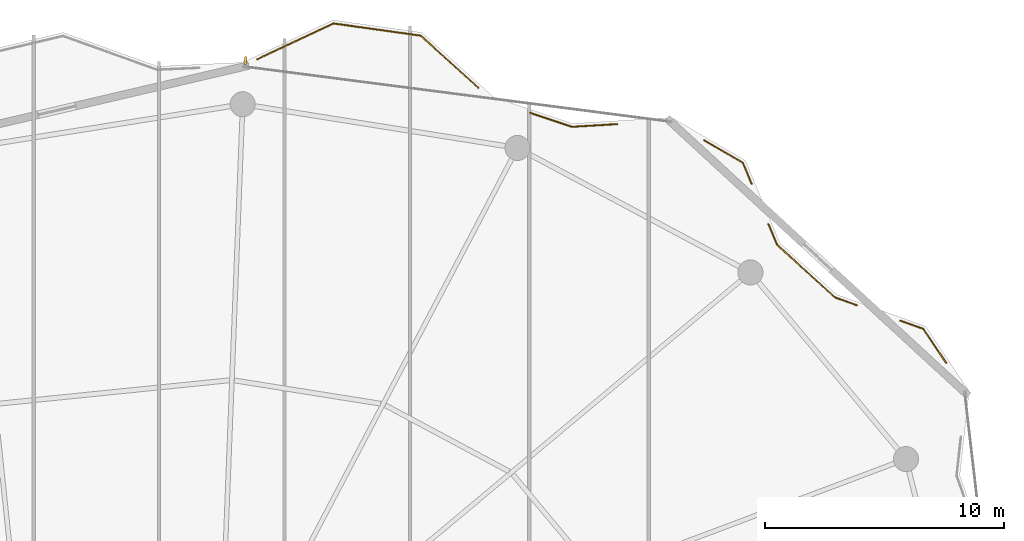
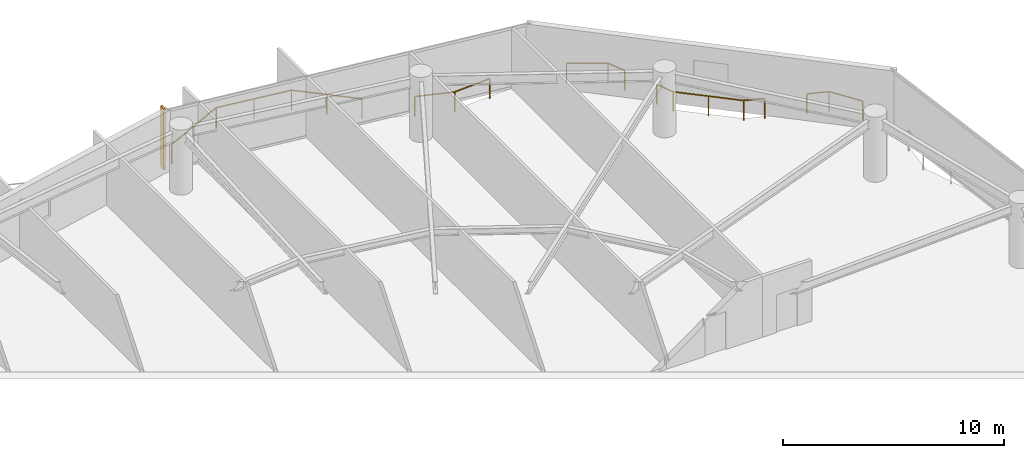
# One storey, part 31 of 31: 5 railings, 1 shading device.
"""IFC4 building model written with IfcOpenShell, lengths in metres."""

from ifc_helpers import new_model, si_unit, direction, frame, origin, origin_2d, place, context, subcontext, project, spatial, rectangle, extrude, material, type_object, element, save


model = new_model("IFC4")

# Units and contexts
model_context = context("Model", 3, precision=1e-05, world=origin(), true_north=direction((0.0, 1.0)))
body_context = subcontext(model_context, "Body", "Model", "MODEL_VIEW")
ifc_project = project(units=[si_unit("LENGTHUNIT", "METRE"), si_unit("AREAUNIT", "SQUARE_METRE"), si_unit("VOLUMEUNIT", "CUBIC_METRE"), si_unit("PLANEANGLEUNIT", "RADIAN"), si_unit("MASSUNIT", "GRAM", prefix="KILO")], contexts=[model_context])

# Site, building, storey
site_placement = place(None, origin())
site = spatial("IfcSite", under=ifc_project, at=site_placement, CompositionType="ELEMENT")
building_placement = place(site_placement, origin())
building = spatial("IfcBuilding", under=site, at=building_placement, Name="Kazevale Care Tower and Concert Hall", CompositionType="ELEMENT")
storey_placement = place(building_placement, frame((0.0, 0.0, 202.800048828125)))
storey = spatial("IfcBuildingStorey", under=building, at=storey_placement, Name="L53", CompositionType="ELEMENT", Elevation=202.800048828125)

# Railings
ifc_material_1 = material(Name="Anodised Bronze Aluminium and Laminated Glass", Category="aluminium")
railing_type = type_object("IfcRailingType", Name="Balcony and Terrace Balustrade 1120", PredefinedType="BALUSTRADE", material=ifc_material_1)
railing_1_placement = place(storey_placement, frame((45.610107421875, 63.931884765625, 0.0)))
element("IfcRailing", 1, at=railing_1_placement, inside=storey, type_object=railing_type, Name="rail:L53:perim:6", PredefinedType="BALUSTRADE", context=body_context, shape_type="SweptSolid", body=[
    extrude(rectangle(XDim=0.048095703125, YDim=0.048095703125, at=origin_2d()), frame((0.0, 0.0, 1.09619140625), z_axis=(0.905100997077, 0.42519664285, 0.0), x_axis=(-0.42519664285, 0.905100997077, 0.0)), (0.0, 0.0, 1.0), 3.525390625),
    extrude(rectangle(XDim=0.048095703125, YDim=0.048095703125, at=origin_2d()), frame((3.19091796875, 1.4990234375, 1.09619140625), z_axis=(0.990362854901, -0.138496987809, 0.0), x_axis=(0.138496987809, 0.990362854901, 0.0)), (0.0, 0.0, 1.0), 3.682373046875),
    extrude(rectangle(XDim=0.048095703125, YDim=0.048095703125, at=origin_2d()), frame((6.837890625, 0.989013671875, 1.09619140625), z_axis=(0.74237767764, -0.669981629407, 0.0), x_axis=(0.669981629407, 0.74237767764, 0.0)), (0.0, 0.0, 1.0), 3.260986328125),
    extrude(rectangle(XDim=0.0419921875, YDim=0.0419921875, at=origin_2d()), origin(), (0.0, 0.0, 1.0), 1.072021484375),
    extrude(rectangle(XDim=0.0419921875, YDim=0.0419921875, at=origin_2d()), frame((1.595458984375, 0.74951171875, 0.0)), (0.0, 0.0, 1.0), 1.072021484375),
    extrude(rectangle(XDim=0.0419921875, YDim=0.0419921875, at=origin_2d()), frame((3.19091796875, 1.4990234375, 0.0)), (0.0, 0.0, 1.0), 1.072021484375),
    extrude(rectangle(XDim=0.0419921875, YDim=0.0419921875, at=origin_2d()), frame((5.014404296875, 1.244140625, 0.0)), (0.0, 0.0, 1.0), 1.072021484375),
    extrude(rectangle(XDim=0.0419921875, YDim=0.0419921875, at=origin_2d()), frame((6.837890625, 0.989013671875, 0.0)), (0.0, 0.0, 1.0), 1.072021484375),
    extrude(rectangle(XDim=0.0419921875, YDim=0.0419921875, at=origin_2d()), frame((8.04833984375, -0.103515625, 0.0)), (0.0, 0.0, 1.0), 1.072021484375),
    extrude(rectangle(XDim=0.0419921875, YDim=0.0419921875, at=origin_2d()), frame((9.2587890625, -1.19580078125, 0.0)), (0.0, 0.0, 1.0), 1.072021484375),
])
railing_2_placement = place(storey_placement, frame((57.032958984375, 61.68994140625, 0.0)))
element("IfcRailing", 2, at=railing_2_placement, inside=storey, type_object=railing_type, Name="rail:L53:perim:7", PredefinedType="BALUSTRADE", context=body_context, shape_type="SweptSolid", body=[
    extrude(rectangle(XDim=0.048095703125, YDim=0.048095703125, at=origin_2d()), frame((0.0, 0.0, 1.09619140625), z_axis=(0.948045105832, -0.318135941554, 0.0), x_axis=(0.318135941554, 0.948045105832, 0.0)), (0.0, 0.0, 1.0), 1.841796875),
    extrude(rectangle(XDim=0.048095703125, YDim=0.048095703125, at=origin_2d()), frame((1.74609375, -0.5859375, 1.09619140625), z_axis=(0.998181354811, 0.060282525723, 0.0), x_axis=(-0.060282525723, 0.998181354811, 0.0)), (0.0, 0.0, 1.0), 1.907470703125),
    extrude(rectangle(XDim=0.0419921875, YDim=0.0419921875, at=origin_2d()), origin(), (0.0, 0.0, 1.0), 1.072021484375),
    extrude(rectangle(XDim=0.0419921875, YDim=0.0419921875, at=origin_2d()), frame((1.74609375, -0.5859375, 0.0)), (0.0, 0.0, 1.0), 1.072021484375),
    extrude(rectangle(XDim=0.0419921875, YDim=0.0419921875, at=origin_2d()), frame((3.650146484375, -0.470947265625, 0.0)), (0.0, 0.0, 1.0), 1.072021484375),
])
railing_3_placement = place(storey_placement, frame((64.31298828125, 60.54296875, 0.0)))
element("IfcRailing", 3, at=railing_3_placement, inside=storey, type_object=railing_type, Name="rail:L53:perim:8", PredefinedType="BALUSTRADE", context=body_context, shape_type="SweptSolid", body=[
    extrude(rectangle(XDim=0.048095703125, YDim=0.048095703125, at=origin_2d()), frame((0.0, 0.0, 1.09619140625), z_axis=(0.863897008105, -0.503668501483, 0.0), x_axis=(0.503668501483, 0.863897008105, 0.0)), (0.0, 0.0, 1.0), 1.8740234375),
    extrude(rectangle(XDim=0.048095703125, YDim=0.048095703125, at=origin_2d()), frame((1.618896484375, -0.94384765625, 1.09619140625), z_axis=(0.384958845263, -0.922933739471, 0.0), x_axis=(0.922933739471, 0.384958845263, 0.0)), (0.0, 0.0, 1.0), 0.958984375),
    extrude(rectangle(XDim=0.0419921875, YDim=0.0419921875, at=origin_2d()), origin(), (0.0, 0.0, 1.0), 1.072021484375),
    extrude(rectangle(XDim=0.0419921875, YDim=0.0419921875, at=origin_2d()), frame((1.618896484375, -0.94384765625, 0.0)), (0.0, 0.0, 1.0), 1.072021484375),
    extrude(rectangle(XDim=0.0419921875, YDim=0.0419921875, at=origin_2d()), frame((1.988037109375, -1.828857421875, 0.0)), (0.0, 0.0, 1.0), 1.072021484375),
])
railing_4_placement = place(storey_placement, frame((67.0029296875, 57.037109375, 0.0)))
element("IfcRailing", 4, at=railing_4_placement, inside=storey, type_object=railing_type, Name="rail:L53:perim:9", PredefinedType="BALUSTRADE", context=body_context, shape_type="SweptSolid", body=[
    extrude(rectangle(XDim=0.048095703125, YDim=0.048095703125, at=origin_2d()), frame((0.0, 0.0, 1.09619140625), z_axis=(0.385400252226, -0.922749503161, 0.0), x_axis=(0.922749503161, 0.385400252226, 0.0)), (0.0, 0.0, 1.0), 0.949462890625),
    extrude(rectangle(XDim=0.048095703125, YDim=0.048095703125, at=origin_2d()), frame((0.365966796875, -0.876220703125, 1.09619140625), z_axis=(0.740453598396, -0.672107482939, 0.0), x_axis=(0.672107482939, 0.740453598396, 0.0)), (0.0, 0.0, 1.0), 3.2685546875),
    extrude(rectangle(XDim=0.048095703125, YDim=0.048095703125, at=origin_2d()), frame((2.7861328125, -3.072998046875, 1.09619140625), z_axis=(0.941931266787, -0.33580573052, 0.0), x_axis=(0.33580573052, 0.941931266787, 0.0)), (0.0, 0.0, 1.0), 0.9619140625),
    extrude(rectangle(XDim=0.0419921875, YDim=0.0419921875, at=origin_2d()), origin(), (0.0, 0.0, 1.0), 1.072021484375),
    extrude(rectangle(XDim=0.0419921875, YDim=0.0419921875, at=origin_2d()), frame((0.365966796875, -0.876220703125, 0.0)), (0.0, 0.0, 1.0), 1.072021484375),
    extrude(rectangle(XDim=0.0419921875, YDim=0.0419921875, at=origin_2d()), frame((1.576171875, -1.974609375, 0.0)), (0.0, 0.0, 1.0), 1.072021484375),
    extrude(rectangle(XDim=0.0419921875, YDim=0.0419921875, at=origin_2d()), frame((2.7861328125, -3.072998046875, 0.0)), (0.0, 0.0, 1.0), 1.072021484375),
    extrude(rectangle(XDim=0.0419921875, YDim=0.0419921875, at=origin_2d()), frame((3.692138671875, -3.39599609375, 0.0)), (0.0, 0.0, 1.0), 1.072021484375),
])
railing_5_placement = place(storey_placement, frame((72.527099609375, 52.989013671875, 0.0)))
element("IfcRailing", 5, at=railing_5_placement, inside=storey, type_object=railing_type, Name="rail:L53:perim:10", PredefinedType="BALUSTRADE", context=body_context, shape_type="SweptSolid", body=[
    extrude(rectangle(XDim=0.048095703125, YDim=0.048095703125, at=origin_2d()), frame((0.0, 0.0, 1.09619140625), z_axis=(0.941882879888, -0.335941424319, 0.0), x_axis=(0.335941424319, 0.941882879888, 0.0)), (0.0, 0.0, 1.0), 1.01806640625),
    extrude(rectangle(XDim=0.048095703125, YDim=0.048095703125, at=origin_2d()), frame((0.958984375, -0.342041015625, 1.09619140625), z_axis=(0.558028145129, -0.829822022631, 0.0), x_axis=(0.829822022631, 0.558028145129, 0.0)), (0.0, 0.0, 1.0), 1.70751953125),
    extrude(rectangle(XDim=0.0419921875, YDim=0.0419921875, at=origin_2d()), origin(), (0.0, 0.0, 1.0), 1.072021484375),
    extrude(rectangle(XDim=0.0419921875, YDim=0.0419921875, at=origin_2d()), frame((0.958984375, -0.342041015625, 0.0)), (0.0, 0.0, 1.0), 1.072021484375),
    extrude(rectangle(XDim=0.0419921875, YDim=0.0419921875, at=origin_2d()), frame((1.911865234375, -1.759033203125, 0.0)), (0.0, 0.0, 1.0), 1.072021484375),
])

# Shading device
ifc_material_2 = material(Name="Anodised Bronze Aluminium", Category="aluminium")
shading_device_type = type_object("IfcShadingDeviceType", Name="Waist Anodised Bronze-Stone Fin FIN-02", PredefinedType="USERDEFINED", material=ifc_material_2)
shading_device_placement = place(storey_placement, frame((45.116455078125, 63.870849609375, 0.0), z_axis=(0.0, 0.0, 1.0), x_axis=(0.128103248172, 0.991760837, 0.0)))
element("IfcShadingDevice", 6, at=shading_device_placement, inside=storey, type_object=shading_device_type, Name="cw:L53:f16:fin", ObjectType="FIN", PredefinedType="USERDEFINED", context=body_context, shape_type="SweptSolid", body=[
    extrude(rectangle(XDim=0.340087890625, YDim=0.10009765625, at=origin_2d()), origin(), (0.0, 0.0, 1.0), 3.360107421875),
])

save(model, "model.ifc")
